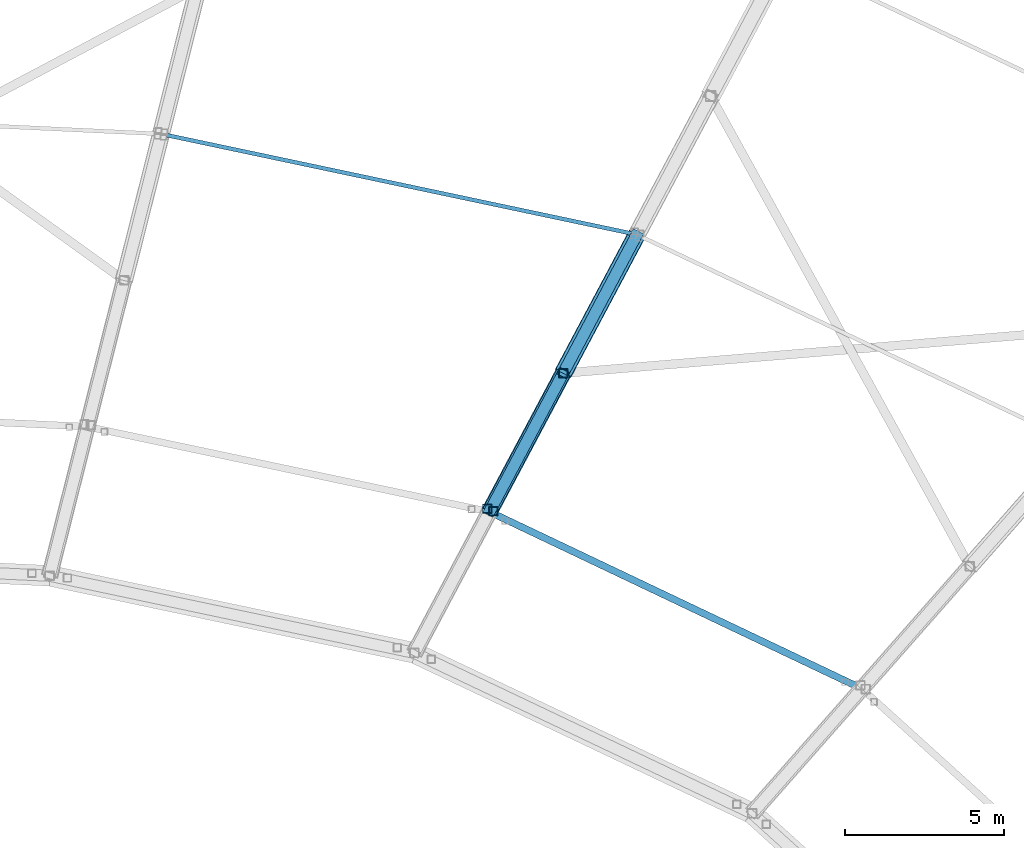
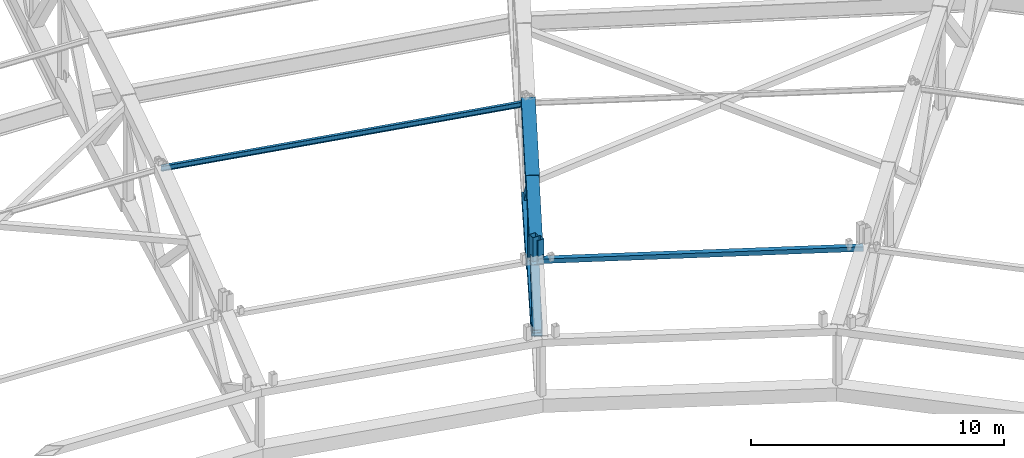
# One storey, part 79 of 162: 11 members.
"""IFC4 building model written with IfcOpenShell, lengths in metres."""

import ifcopenshell
import ifcopenshell.guid

model = None  # the IFC model being written
_history = None  # IfcOwnerHistory: only IFC2X3 demands one
_inside = {}  # id of a spatial element -> (the spatial element, [elements in it])
_under = {}  # id of a project, library or spatial element -> (it, [spatial elements below it])
_declared = {}  # id of a project -> (the project, [libraries it declares])
_typed = {}  # id of a type object -> (the type object, [elements of that type])
_made_of = {}  # id of a material, layer set ... -> (it, [elements and type objects made of it])


def new_model(schema):
    """Start an empty IFC model of exactly this schema.

    Asked for "IFC4X3", IfcOpenShell would pick the latest addendum, in which some entities
    have other attributes; the version numbers below select the first issue.
    IFC2X3 requires an IfcOwnerHistory on every rooted entity: one is made here for all.
    """
    global model, _history
    if schema == "IFC4X3":
        model = ifcopenshell.file(schema_version=(4, 3, 0, 0))
    else:
        model = ifcopenshell.file(schema=schema)
    _inside.clear()
    _under.clear()
    _declared.clear()
    _typed.clear()
    _made_of.clear()
    _history = None
    if model.schema == "IFC2X3":
        org = make("IfcOrganization", Name="unknown")
        user = make(
            "IfcPersonAndOrganization",
            ThePerson=make("IfcPerson", FamilyName="unknown"),
            TheOrganization=org,
        )
        app = make(
            "IfcApplication",
            ApplicationDeveloper=org,
            Version="unknown",
            ApplicationFullName="unknown",
            ApplicationIdentifier="unknown",
        )
        _history = make(
            "IfcOwnerHistory",
            OwningUser=user,
            OwningApplication=app,
            ChangeAction="ADDED",
            CreationDate=0,
        )
    return model


def make(cls, **values):
    """One entity of the class cls with the attributes given. An attribute that is None is left unset."""
    return model.create_entity(
        cls, **{name: value for name, value in values.items() if value is not None}
    )


def rooted(cls, **values):
    """An entity with a GlobalId (a new one), such as an element, a storey or a relation."""
    return make(cls, GlobalId=ifcopenshell.guid.new(), OwnerHistory=_history, **values)


def si_unit(unit_type, name, prefix=None):
    """IfcSIUnit, for example si_unit("LENGTHUNIT", "METRE", prefix="MILLI")."""
    return make("IfcSIUnit", UnitType=unit_type, Prefix=prefix, Name=name)


def assignment(units):
    """IfcUnitAssignment: the units of a project."""
    return None if units is None else make("IfcUnitAssignment", Units=units)


def point(xyz):
    """IfcCartesianPoint."""
    return None if xyz is None else make("IfcCartesianPoint", Coordinates=xyz)


def direction(xyz):
    """IfcDirection."""
    return None if xyz is None else make("IfcDirection", DirectionRatios=xyz)


def frame(location, z_axis=None, x_axis=None):
    """IfcAxis2Placement3D, a coordinate frame: its origin and axes. An axis left out is left unset."""
    return make(
        "IfcAxis2Placement3D",
        Location=point(location),
        Axis=direction(z_axis),
        RefDirection=direction(x_axis),
    )


def frame_2d(location, x_axis=None):
    """IfcAxis2Placement2D, a coordinate frame in the plane: its origin and x axis."""
    return make(
        "IfcAxis2Placement2D", Location=point(location), RefDirection=direction(x_axis)
    )


def origin():
    """The frame at (0, 0, 0) with its axes left unset."""
    return frame((0.0, 0.0, 0.0))


def origin_2d():
    """The frame at (0, 0) in the plane with its x axis left unset."""
    return frame_2d((0.0, 0.0))


def place(relative_to, where):
    """IfcLocalPlacement: puts the frame where relative to a parent placement (None: the world)."""
    return make(
        "IfcLocalPlacement", PlacementRelTo=relative_to, RelativePlacement=where
    )


def context(
    kind, dimensions, precision=None, world=None, true_north=None, identifier=None
):
    """IfcGeometricRepresentationContext, for example the 3D "Model" context."""
    return make(
        "IfcGeometricRepresentationContext",
        ContextIdentifier=identifier,
        ContextType=kind,
        CoordinateSpaceDimension=dimensions,
        Precision=precision,
        WorldCoordinateSystem=world,
        TrueNorth=true_north,
    )


def subcontext(parent, identifier, kind, view, scale=None):
    """IfcGeometricRepresentationSubContext, for example "Body" below "Model"."""
    return make(
        "IfcGeometricRepresentationSubContext",
        ContextIdentifier=identifier,
        ContextType=kind,
        ParentContext=parent,
        TargetScale=scale,
        TargetView=view,
    )


def project(units=None, contexts=None):
    """IfcProject with its units and contexts."""
    return rooted(
        "IfcProject",
        Name="project",
        RepresentationContexts=contexts,
        UnitsInContext=assignment(units),
    )


def spatial(cls, under=None, at=None, **own):
    """A site, building, storey or space (cls), placed at a placement, below another one or the project."""
    s = rooted(cls, ObjectPlacement=at, **own)
    if under is not None:
        _under.setdefault(under.id(), (under, []))[1].append(s)
    return s


def profile(cls, at=None, kind="AREA", **sizes):
    """A parametric profile (cls). Its sizes go by their IFC names, for example OverallWidth=200.0."""
    return make(cls, ProfileType=kind, Position=at, **sizes)


def hollow_rectangle(**sizes):
    """IfcRectangleHollowProfileDef."""
    return profile("IfcRectangleHollowProfileDef", **sizes)


def i_section(**sizes):
    """IfcIShapeProfileDef."""
    return profile("IfcIShapeProfileDef", **sizes)


def extrude(swept, where, along, depth):
    """IfcExtrudedAreaSolid: the profile swept, set in the frame where, extruded along a direction by depth."""
    return make(
        "IfcExtrudedAreaSolid",
        SweptArea=swept,
        Position=where,
        ExtrudedDirection=direction(along),
        Depth=depth,
    )


def shape(context_of_items, identifier, shape_type, items):
    """IfcShapeRepresentation: the items that make up one representation, for example the "Body"."""
    return make(
        "IfcShapeRepresentation",
        ContextOfItems=context_of_items,
        RepresentationIdentifier=identifier,
        RepresentationType=shape_type,
        Items=items,
    )


def material(Name=None, Category=None):
    """IfcMaterial."""
    return make("IfcMaterial", Name=Name, Category=Category)


def material_profile(
    of_material, cross_section, Name=None, Category=None, Priority=None
):
    """IfcMaterialProfile: a cross section and its material."""
    return make(
        "IfcMaterialProfile",
        Name=Name,
        Material=of_material,
        Profile=cross_section,
        Priority=Priority,
        Category=Category,
    )


def profile_set(profiles, Name=None, composite=None):
    """IfcMaterialProfileSet."""
    return make(
        "IfcMaterialProfileSet",
        Name=Name,
        MaterialProfiles=profiles,
        CompositeProfile=composite,
    )


def made_of(thing, what):
    """Note that an element or type object is made of a material, layer set ...; save() writes the relation."""
    if what is not None:
        _made_of.setdefault(what.id(), (what, []))[1].append(thing)
    return thing


def type_object(cls, material=None, **own):
    """A type object (cls), such as IfcWallType, which elements share."""
    return made_of(rooted(cls, **own), material)


def element(
    cls,
    number,
    at=None,
    inside=None,
    cuts=None,
    type_object=None,
    material=None,
    context=None,
    identifier="Body",
    shape_type=None,
    held_by="IfcProductDefinitionShape",
    body=None,
    shapes=None,
    **own,
):
    """One element of the class cls, such as IfcWall. Its Tag is "e" and its number.

    at: its placement. inside: the storey or other place that contains it. cuts: it is an
    opening in that element (IfcRelVoidsElement). A single representation is given by context,
    identifier, shape_type and body (its items); several are given by shapes. held_by: the class
    of the entity that holds the representations. save() writes the other relations.
    """
    e = rooted(cls, Tag="e%d" % number, ObjectPlacement=at, **own)
    if body is not None:
        shapes = [shape(context, identifier, shape_type, body)]
    if shapes is not None:
        e.Representation = make(held_by, Representations=shapes)
    if inside is not None:
        _inside.setdefault(inside.id(), (inside, []))[1].append(e)
    if cuts is not None:
        rooted(
            "IfcRelVoidsElement", RelatingBuildingElement=cuts, RelatedOpeningElement=e
        )
    if type_object is not None:
        _typed.setdefault(type_object.id(), (type_object, []))[1].append(e)
    return made_of(e, material)


def aggregate(whole, parts):
    """IfcRelAggregates: a whole, such as a stair, and the parts it consists of."""
    return rooted("IfcRelAggregates", RelatingObject=whole, RelatedObjects=parts)


def save(model, path):
    """Write the relations noted so far, then the file.

    IfcRelAggregates (storeys below a building ...), IfcRelContainedInSpatialStructure (elements
    in a storey), IfcRelDefinesByType, IfcRelAssociatesMaterial and IfcRelDeclares: one each for
    every whole, place, type object, material and project.
    """
    for whole, parts in _under.values():
        aggregate(whole, parts)
    for where, things in _inside.values():
        rooted(
            "IfcRelContainedInSpatialStructure",
            RelatedElements=things,
            RelatingStructure=where,
        )
    for kind, things in _typed.values():
        rooted("IfcRelDefinesByType", RelatedObjects=things, RelatingType=kind)
    for what, things in _made_of.values():
        rooted("IfcRelAssociatesMaterial", RelatedObjects=things, RelatingMaterial=what)
    for by, libraries in _declared.values():
        rooted("IfcRelDeclares", RelatingContext=by, RelatedDefinitions=libraries)
    model.write(path)


model = new_model("IFC4")

# Units and contexts
model_context = context("Model", 3, precision=1e-05, world=origin(), true_north=direction((0.0, 1.0)))
body_context = subcontext(model_context, "Body", "Model", "MODEL_VIEW")
ifc_project = project(units=[si_unit("LENGTHUNIT", "METRE"), si_unit("AREAUNIT", "SQUARE_METRE"), si_unit("VOLUMEUNIT", "CUBIC_METRE"), si_unit("PLANEANGLEUNIT", "RADIAN"), si_unit("MASSUNIT", "GRAM", prefix="KILO")], contexts=[model_context])

# Site, building, storey
site_placement = place(None, origin())
site = spatial("IfcSite", under=ifc_project, at=site_placement, CompositionType="ELEMENT")
building_placement = place(site_placement, origin())
building = spatial("IfcBuilding", under=site, at=building_placement, Name="Kazemori Nagisa Stadium", CompositionType="ELEMENT")
storey_placement = place(building_placement, frame((0.0, 0.0, 36.719970703125)))
storey = spatial("IfcBuildingStorey", under=building, at=storey_placement, Name="RF", CompositionType="ELEMENT", Elevation=36.719970703125)

# Members
ifc_material_1 = material(Name="Steel STKR490", Category="steel")
ifc_material_profile_1 = material_profile(ifc_material_1, hollow_rectangle(XDim=0.280029296875, YDim=0.280029296875, WallThickness=0.010009765625, at=origin_2d()), Name="SHS-280x280x10")
ifc_profile_set_1 = profile_set([ifc_material_profile_1], Name="Steel STKR490")
member_type_1 = type_object("IfcMemberType", Name="Member_ST-SHS280", PredefinedType="STUD", material=ifc_profile_set_1)
member_1_placement = place(storey_placement, frame((148.37353515625, 149.491943359375, 5.09814453125), z_axis=(0.0, 0.0, 1.0), x_axis=(1.0, 0.0, 0.0)))
element("IfcMember", 1, at=member_1_placement, inside=storey, type_object=member_type_1, Name="Canopy bearing stool B05-inner-3", PredefinedType="STUD", context=body_context, shape_type="SweptSolid", body=[
    extrude(hollow_rectangle(XDim=0.280029296875, YDim=0.280029296875, WallThickness=0.010009765625, at=origin_2d()), origin(), (0.0, 0.0, 1.0), 1.0068359375),
])
member_2_placement = place(storey_placement, frame((148.180419921875, 149.568115234375, 5.09814453125), z_axis=(0.0, 0.0, 1.0), x_axis=(1.0, 0.0, 0.0)))
element("IfcMember", 2, at=member_2_placement, inside=storey, type_object=member_type_1, Name="Canopy bearing stool B06-inner-4", PredefinedType="STUD", context=body_context, shape_type="SweptSolid", body=[
    extrude(hollow_rectangle(XDim=0.280029296875, YDim=0.280029296875, WallThickness=0.010009765625, at=origin_2d()), origin(), (0.0, 0.0, 1.0), 1.160888671875),
])
ifc_material_profile_2 = material_profile(ifc_material_1, hollow_rectangle(XDim=0.360107421875, YDim=0.360107421875, WallThickness=0.013916015625, at=origin_2d()), Name="SHS-360x360x14")
ifc_profile_set_2 = profile_set([ifc_material_profile_2], Name="Steel STKR490")
member_type_2 = type_object("IfcMemberType", Name="Member_TB-SHS360", PredefinedType="BRACE", material=ifc_profile_set_2)
member_3_placement = place(storey_placement, frame((152.877685546875, 158.1640625, 1.22998046875), z_axis=(-0.355613842872, -0.66844735547, 0.653235736716), x_axis=(0.88284131776, -0.469671382624, 0.0)))
element("IfcMember", 3, at=member_3_placement, inside=storey, type_object=member_type_2, Name="Roof space truss diagonal RT-06-7", PredefinedType="BRACE", context=body_context, shape_type="SweptSolid", body=[
    extrude(hollow_rectangle(XDim=0.360107421875, YDim=0.360107421875, WallThickness=0.013916015625, at=origin_2d()), origin(), (0.0, 0.0, 1.0), 6.5),
])
member_4_placement = place(storey_placement, frame((150.566162109375, 153.819091796875, 5.47607421875), z_axis=(-0.370719414859, -0.696954066299, -0.613858407872), x_axis=(0.882872826789, -0.469612150309, 0.0)))
element("IfcMember", 4, at=member_4_placement, inside=storey, type_object=member_type_2, Name="Roof space truss diagonal RT-06-8", PredefinedType="BRACE", context=body_context, shape_type="SweptSolid", body=[
    extrude(hollow_rectangle(XDim=0.360107421875, YDim=0.360107421875, WallThickness=0.013916015625, at=origin_2d()), origin(), (0.0, 0.0, 1.0), 6.234619140625),
])
ifc_material_profile_3 = material_profile(ifc_material_1, hollow_rectangle(XDim=0.4599609375, YDim=0.4599609375, WallThickness=0.01611328125, at=origin_2d()), Name="SHS-460x460x16")
ifc_profile_set_3 = profile_set([ifc_material_profile_3], Name="Steel STKR490")
member_type_3 = type_object("IfcMemberType", Name="Member_TC-SHS460", PredefinedType="CHORD", material=ifc_profile_set_3)
member_5_placement = place(storey_placement, frame((150.566162109375, 153.819091796875, 1.466064453125), z_axis=(-0.469288349816, -0.882264080493, 0.037128654697), x_axis=(0.882872826789, -0.469612150309, 0.0)))
element("IfcMember", 5, at=member_5_placement, inside=storey, type_object=member_type_3, Name="Roof space truss bottom chord RT-06-8", PredefinedType="CHORD", context=body_context, shape_type="SweptSolid", body=[
    extrude(hollow_rectangle(XDim=0.4599609375, YDim=0.4599609375, WallThickness=0.01611328125, at=origin_2d()), origin(), (0.0, 0.0, 1.0), 4.925048828125),
])
ifc_material_profile_4 = material_profile(ifc_material_1, hollow_rectangle(XDim=0.52001953125, YDim=0.52001953125, WallThickness=0.01904296875, at=origin_2d()), Name="SHS-520x520x19")
ifc_profile_set_4 = profile_set([ifc_material_profile_4], Name="Steel STKR490")
member_type_4 = type_object("IfcMemberType", Name="Member_TC-SHS520", PredefinedType="CHORD", material=ifc_profile_set_4)
member_6_placement = place(storey_placement, frame((152.877685546875, 158.1640625, 1.22998046875), z_axis=(-0.469131946478, -0.881827339615, 0.047914088746), x_axis=(0.88284131776, -0.469671382624, 0.0)))
element("IfcMember", 6, at=member_6_placement, inside=storey, type_object=member_type_4, Name="Roof space truss bottom chord RT-06-7", PredefinedType="CHORD", context=body_context, shape_type="SweptSolid", body=[
    extrude(hollow_rectangle(XDim=0.52001953125, YDim=0.52001953125, WallThickness=0.01904296875, at=origin_2d()), origin(), (0.0, 0.0, 1.0), 4.92724609375),
])
member_7_placement = place(storey_placement, frame((150.566162109375, 153.819091796875, 5.47607421875), z_axis=(-0.468233704527, -0.880281342893, -0.076563407057), x_axis=(0.882872826789, -0.469612150309, 0.0)))
element("IfcMember", 7, at=member_7_placement, inside=storey, type_object=member_type_4, Name="Roof space truss top chord RT-06-8", PredefinedType="CHORD", context=body_context, shape_type="SweptSolid", body=[
    extrude(hollow_rectangle(XDim=0.52001953125, YDim=0.52001953125, WallThickness=0.01904296875, at=origin_2d()), origin(), (0.0, 0.0, 1.0), 4.936279296875),
])
ifc_material_profile_5 = material_profile(ifc_material_1, hollow_rectangle(XDim=0.56005859375, YDim=0.56005859375, WallThickness=0.02001953125, at=origin_2d()), Name="SHS-560x560x20")
ifc_profile_set_5 = profile_set([ifc_material_profile_5], Name="Steel STKR490")
member_type_5 = type_object("IfcMemberType", Name="Member_TC-SHS560", PredefinedType="CHORD", material=ifc_profile_set_5)
member_8_placement = place(storey_placement, frame((152.877685546875, 158.1640625, 5.7900390625), z_axis=(-0.468718598203, -0.881050368845, -0.0636641442), x_axis=(0.88284131776, -0.469671382624, 0.0)))
element("IfcMember", 8, at=member_8_placement, inside=storey, type_object=member_type_5, Name="Roof space truss top chord RT-06-7", PredefinedType="CHORD", context=body_context, shape_type="SweptSolid", body=[
    extrude(hollow_rectangle(XDim=0.56005859375, YDim=0.56005859375, WallThickness=0.02001953125, at=origin_2d()), origin(), (0.0, 0.0, 1.0), 4.931640625),
])
ifc_material_2 = material(Name="Steel SN490B", Category="steel")
ifc_material_profile_6 = material_profile(ifc_material_2, i_section(OverallWidth=0.125, OverallDepth=0.25, WebThickness=0.006103515625, FlangeThickness=0.009033203125, FilletRadius=0.008056640625, at=origin_2d()), Name="H-250x125x6x9")
ifc_profile_set_6 = profile_set([ifc_material_profile_6], Name="Steel SN490B")
member_type_6 = type_object("IfcMemberType", Name="Member_TP-H250", PredefinedType="PURLIN", material=ifc_profile_set_6)
member_9_placement = place(storey_placement, frame((152.877685546875, 158.1640625, 5.7900390625), z_axis=(-0.978295247296, 0.206969542804, 0.0101003698), x_axis=(-0.206980100866, -0.978345152717, 0.0)))
element("IfcMember", 9, at=member_9_placement, inside=storey, type_object=member_type_6, Name="Roof purlin TP-H250 B06-P6", PredefinedType="PURLIN", context=body_context, shape_type="SweptSolid", body=[
    extrude(i_section(OverallWidth=0.125, OverallDepth=0.25, WebThickness=0.006103515625, FlangeThickness=0.009033203125, FilletRadius=0.008056640625, at=origin_2d()), origin(), (0.0, 0.0, 1.0), 15.252197265625),
])
ifc_material_profile_7 = material_profile(ifc_material_1, hollow_rectangle(XDim=0.219970703125, YDim=0.219970703125, WallThickness=0.009033203125, at=origin_2d()), Name="SHS-220x220x9")
ifc_profile_set_7 = profile_set([ifc_material_profile_7], Name="Steel STKR490")
member_type_7 = type_object("IfcMemberType", Name="Member_TP-SHS220", PredefinedType="PURLIN", material=ifc_profile_set_7)
member_10_placement = place(storey_placement, frame((159.932861328125, 143.9248046875, 4.97509765625), z_axis=(-0.903175671915, 0.429165635585, 0.009516453884), x_axis=(-0.429185070146, -0.903216571794, 0.0)))
element("IfcMember", 10, at=member_10_placement, inside=storey, type_object=member_type_7, Name="Roof purlin TP-SHS220 B05-P8", PredefinedType="PURLIN", context=body_context, shape_type="SweptSolid", body=[
    extrude(hollow_rectangle(XDim=0.219970703125, YDim=0.219970703125, WallThickness=0.009033203125, at=origin_2d()), origin(), (0.0, 0.0, 1.0), 12.929931640625),
])
ifc_material_profile_8 = material_profile(ifc_material_1, hollow_rectangle(XDim=0.280029296875, YDim=0.280029296875, WallThickness=0.010009765625, at=origin_2d()), Name="SHS-280x280x10")
ifc_profile_set_8 = profile_set([ifc_material_profile_8], Name="Steel STKR490")
member_type_8 = type_object("IfcMemberType", Name="Member_TS-SHS280", PredefinedType="STRUT", material=ifc_profile_set_8)
member_11_placement = place(storey_placement, frame((150.566162109375, 153.819091796875, 1.466064453125), z_axis=(0.0, 0.0, 1.0), x_axis=(1.0, 0.0, 0.0)))
element("IfcMember", 11, at=member_11_placement, inside=storey, type_object=member_type_8, Name="Roof space truss strut RT-06-8", PredefinedType="STRUT", context=body_context, shape_type="SweptSolid", body=[
    extrude(hollow_rectangle(XDim=0.280029296875, YDim=0.280029296875, WallThickness=0.010009765625, at=origin_2d()), origin(), (0.0, 0.0, 1.0), 4.010009765625),
])

save(model, "model.ifc")
